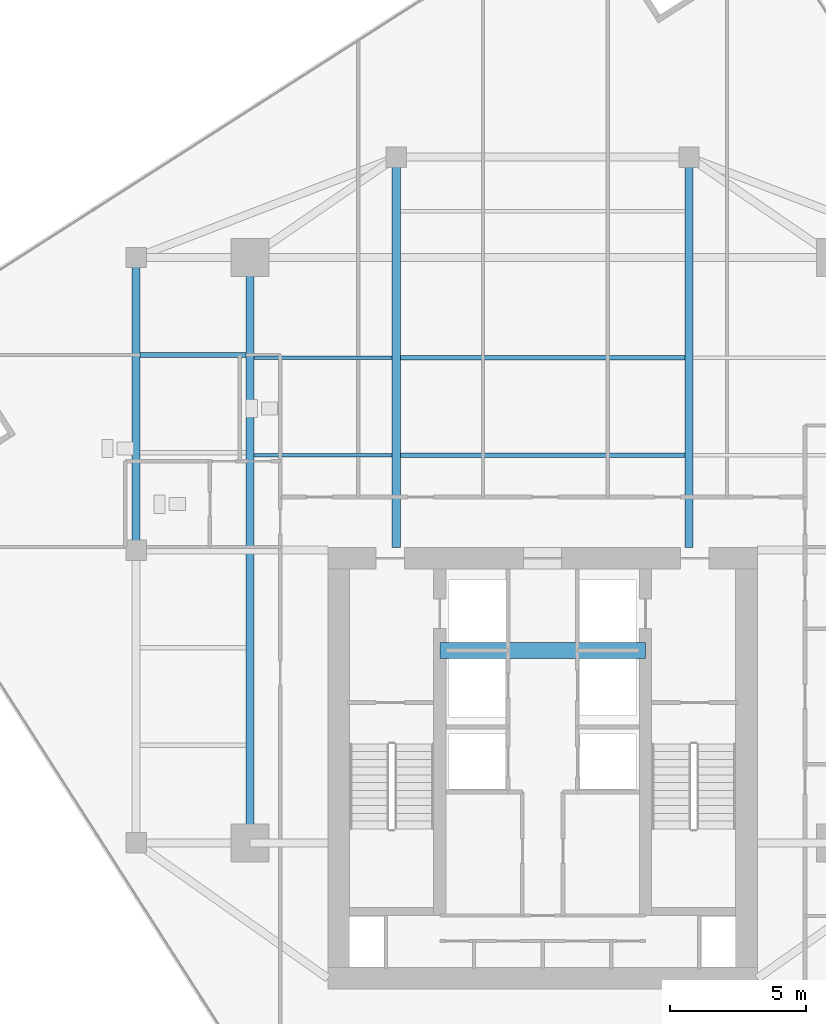
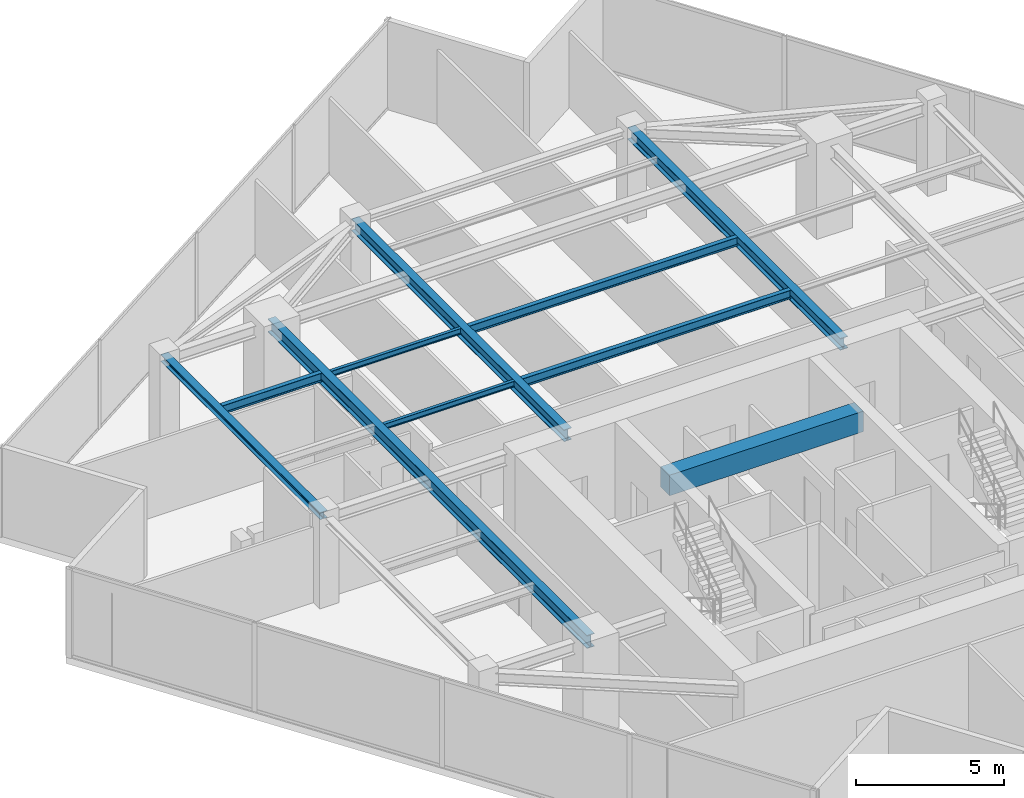
# One storey, part 7 of 20: 10 beams.
"""IFC4 building model written with IfcOpenShell, lengths in metres."""

from ifc_helpers import new_model, si_unit, direction, frame, origin, origin_2d, place, context, subcontext, project, spatial, rectangle, i_section, extrude, source, transform, mapped, material, material_profile, profile_set, type_object, type_shapes, element, save


model = new_model("IFC4")

# Units and contexts
model_context = context("Model", 3, precision=1e-05, world=origin(), true_north=direction((0.0, 1.0)))
body_context = subcontext(model_context, "Body", "Model", "MODEL_VIEW")
ifc_project = project(units=[si_unit("LENGTHUNIT", "METRE"), si_unit("AREAUNIT", "SQUARE_METRE"), si_unit("VOLUMEUNIT", "CUBIC_METRE"), si_unit("PLANEANGLEUNIT", "RADIAN"), si_unit("MASSUNIT", "GRAM", prefix="KILO")], contexts=[model_context])

# Site, building, storey
site_placement = place(None, origin())
site = spatial("IfcSite", under=ifc_project, at=site_placement, CompositionType="ELEMENT")
building_placement = place(site_placement, origin())
building = spatial("IfcBuilding", under=site, at=building_placement, Name="Krantzveldt Concourse Tower", CompositionType="ELEMENT")
storey_placement = place(building_placement, frame((0.0, 0.0, 287.14990234375)))
storey = spatial("IfcBuildingStorey", under=building, at=storey_placement, Name="L70", CompositionType="ELEMENT", Elevation=287.14990234375)

# Beams
ifc_material_1 = material(Name="Steel S355JR", Category="steel")
ifc_material_profile_1 = material_profile(ifc_material_1, i_section(OverallWidth=0.169921875, OverallDepth=0.360107421875, WebThickness=0.008056640625, FlangeThickness=0.0126953125, FilletRadius=0.01806640625, at=origin_2d()), Name="Steel S355JR", Category="steel")
ifc_profile_set_1 = profile_set([ifc_material_profile_1], Name="Steel S355JR - IPE 360")
beam_type_1 = type_object("IfcBeamType", Name="BM-J-IPE360", PredefinedType="JOIST", material=ifc_profile_set_1)
shared_shape_1 = source(origin(), body_context, "Body", "SweptSolid", [
    extrude(i_section(OverallWidth=0.169921875, OverallDepth=0.360107421875, WebThickness=0.008056640625, FlangeThickness=0.0126953125, FilletRadius=0.01806640625, at=origin_2d()), origin(), (0.0, 0.0, 1.0), 10.5),
])
for number, where, z_axis, x_axis, name in (
    (1, (30.75, 30.199951171875, 3.489990234375), (1.0, 0.0, 0.0), (0.0, 1.0, 0.0), "L70 Secondary Floor Joist JN-C1"),
    (2, (30.75, 33.800048828125, 3.489990234375), (1.0, 0.0, 0.0), (0.0, 1.0, 0.0), "L70 Secondary Floor Joist JN-C2"),
):
    element("IfcBeam", number, at=place(storey_placement, frame(where, z_axis=z_axis, x_axis=x_axis)), inside=storey, type_object=beam_type_1, Name=name, PredefinedType="JOIST", context=body_context, shape_type="MappedRepresentation", body=[
        mapped(shared_shape_1, transform((0.0, 0.0, 0.0), x_axis=(1.0, 0.0, 0.0), y_axis=(0.0, 1.0, 0.0), z_axis=(0.0, 0.0, 1.0), scale=1.0)),
    ])
ifc_material_profile_2 = material_profile(ifc_material_1, i_section(OverallWidth=0.300048828125, OverallDepth=0.489990234375, WebThickness=0.011962890625, FlangeThickness=0.02294921875, FilletRadius=0.027099609375, at=origin_2d()), Name="Steel S355JR", Category="steel")
ifc_profile_set_2 = profile_set([ifc_material_profile_2], Name="Steel S355JR - HEA 500")
beam_type_2 = type_object("IfcBeamType", Name="BM-B-HEA500", PredefinedType="BEAM", material=ifc_profile_set_2)
shared_shape_2 = source(origin(), body_context, "Body", "SweptSolid", [
    extrude(i_section(OverallWidth=0.300048828125, OverallDepth=0.489990234375, WebThickness=0.011962890625, FlangeThickness=0.02294921875, FilletRadius=0.027099609375, at=origin_2d()), origin(), (0.0, 0.0, 1.0), 14.39990234375),
])
type_shapes(beam_type_2, [shared_shape_2])
for number, where, z_axis, x_axis, name in (
    (3, (30.60009765625, 26.800048828125, 3.425048828125), (0.0, 1.0, 0.0), (-1.0, 0.0, 0.0), "L70 Tower Girder BG-CNW"),
    (4, (41.39990234375, 26.800048828125, 3.425048828125), (0.0, 1.0, 0.0), (-1.0, 0.0, 0.0), "L70 Tower Girder BG-CNE"),
):
    element("IfcBeam", number, at=place(storey_placement, frame(where, z_axis=z_axis, x_axis=x_axis)), inside=storey, type_object=beam_type_2, Name=name, PredefinedType="BEAM", context=body_context, shape_type="MappedRepresentation", body=[
        mapped(shared_shape_2, transform((0.0, 0.0, 0.0), x_axis=(1.0, 0.0, 0.0), y_axis=(0.0, 1.0, 0.0), z_axis=(0.0, 0.0, 1.0), scale=1.0)),
    ])
ifc_material_2 = material(Name="Concrete C50/60", Category="concrete")
ifc_material_profile_3 = material_profile(ifc_material_2, rectangle(XDim=0.60009765625, YDim=0.85009765625, at=origin_2d()), Name="Concrete C50/60", Category="concrete")
ifc_profile_set_3 = profile_set([ifc_material_profile_3], Name="Concrete C50/60 - RC-CB 600x850")
beam_type_3 = type_object("IfcBeamType", Name="BM-CB-850", PredefinedType="LINTEL", material=ifc_profile_set_3)
shared_shape_3 = source(origin(), body_context, "Body", "SweptSolid", [
    extrude(rectangle(XDim=0.60009765625, YDim=0.85009765625, at=origin_2d()), origin(), (0.0, 0.0, 1.0), 7.580078125),
])
type_shapes(beam_type_3, [shared_shape_3])
beam_1_placement = place(storey_placement, frame((32.2099609375, 23.0, 3.2451171875), z_axis=(1.0, 0.0, 0.0), x_axis=(0.0, 1.0, 0.0)))
element("IfcBeam", 5, at=beam_1_placement, inside=storey, type_object=beam_type_3, Name="CB-L70-01", PredefinedType="LINTEL", context=body_context, shape_type="MappedRepresentation", body=[
    mapped(shared_shape_3, transform((0.0, 0.0, 0.0), x_axis=(1.0, 0.0, 0.0), y_axis=(0.0, 1.0, 0.0), z_axis=(0.0, 0.0, 1.0), scale=1.0)),
])
ifc_material_profile_4 = material_profile(ifc_material_1, i_section(OverallWidth=0.300048828125, OverallDepth=0.5400390625, WebThickness=0.012451171875, FlangeThickness=0.02392578125, FilletRadius=0.027099609375, at=origin_2d()), Name="Steel S355JR", Category="steel")
ifc_profile_set_4 = profile_set([ifc_material_profile_4], Name="Steel S355JR - HEA 550")
beam_type_4 = type_object("IfcBeamType", Name="BM-B-HEA550", PredefinedType="BEAM", material=ifc_profile_set_4)
shared_shape_4 = source(origin(), body_context, "Body", "SweptSolid", [
    extrude(i_section(OverallWidth=0.300048828125, OverallDepth=0.5400390625, WebThickness=0.012451171875, FlangeThickness=0.02392578125, FilletRadius=0.027099609375, at=origin_2d()), origin(), (0.0, 0.0, 1.0), 21.60009765625),
])
type_shapes(beam_type_4, [shared_shape_4])
beam_2_placement = place(storey_placement, frame((25.199951171875, 15.89990234375, 3.400146484375), z_axis=(0.0, 1.0, 0.0), x_axis=(-1.0, 0.0, 0.0)))
element("IfcBeam", 6, at=beam_2_placement, inside=storey, type_object=beam_type_4, Name="L70 Tower Girder BG-MW", PredefinedType="BEAM", context=body_context, shape_type="MappedRepresentation", body=[
    mapped(shared_shape_4, transform((0.0, 0.0, 0.0), x_axis=(1.0, 0.0, 0.0), y_axis=(0.0, 1.0, 0.0), z_axis=(0.0, 0.0, 1.0), scale=1.0)),
])
ifc_material_profile_5 = material_profile(ifc_material_1, i_section(OverallWidth=0.2900390625, OverallDepth=0.2900390625, WebThickness=0.008544921875, FlangeThickness=0.013916015625, FilletRadius=0.027099609375, at=origin_2d()), Name="Steel S355JR", Category="steel")
ifc_profile_set_5 = profile_set([ifc_material_profile_5], Name="Steel S355JR - HEA 300")
beam_type_5 = type_object("IfcBeamType", Name="BM-SP-HEA300", PredefinedType="SPANDREL", material=ifc_profile_set_5)
shared_shape_5 = source(origin(), body_context, "Body", "SweptSolid", [
    extrude(i_section(OverallWidth=0.2900390625, OverallDepth=0.2900390625, WebThickness=0.008544921875, FlangeThickness=0.013916015625, FilletRadius=0.027099609375, at=origin_2d()), origin(), (0.0, 0.0, 1.0), 10.800048828125),
])
type_shapes(beam_type_5, [shared_shape_5])
beam_3_placement = place(storey_placement, frame((21.0, 26.699951171875, 3.525146484375), z_axis=(0.0, 1.0, 0.0), x_axis=(-1.0, 0.0, 0.0)))
element("IfcBeam", 7, at=beam_3_placement, inside=storey, type_object=beam_type_5, Name="L70 Tower Girder SP-R02", PredefinedType="SPANDREL", context=body_context, shape_type="MappedRepresentation", body=[
    mapped(shared_shape_5, transform((0.0, 0.0, 0.0), x_axis=(1.0, 0.0, 0.0), y_axis=(0.0, 1.0, 0.0), z_axis=(0.0, 0.0, 1.0), scale=1.0)),
])
ifc_material_profile_6 = material_profile(ifc_material_1, i_section(OverallWidth=0.1201171875, OverallDepth=0.239990234375, WebThickness=0.006103515625, FlangeThickness=0.009765625, FilletRadius=0.014892578125, at=origin_2d()), Name="Steel S355JR", Category="steel")
ifc_profile_set_6 = profile_set([ifc_material_profile_6], Name="Steel S355JR - IPE 240")
beam_type_6 = type_object("IfcBeamType", Name="BM-LN-IPE240", PredefinedType="LINTEL", material=ifc_profile_set_6)
shared_shape_6 = source(origin(), body_context, "Body", "SweptSolid", [
    extrude(i_section(OverallWidth=0.1201171875, OverallDepth=0.239990234375, WebThickness=0.006103515625, FlangeThickness=0.009765625, FilletRadius=0.014892578125, at=origin_2d()), origin(), (0.0, 0.0, 1.0), 5.099853515625),
])
type_shapes(beam_type_6, [shared_shape_6])
for number, where, z_axis, x_axis, name in (
    (8, (25.35009765625, 30.199951171875, 3.550048828125), (1.0, 0.0, 0.0), (0.0, 1.0, 0.0), "L70 Secondary Floor Joist JN-W1"),
    (9, (25.35009765625, 33.800048828125, 3.550048828125), (1.0, 0.0, 0.0), (0.0, 1.0, 0.0), "L70 Secondary Floor Joist JN-W2"),
):
    element("IfcBeam", number, at=place(storey_placement, frame(where, z_axis=z_axis, x_axis=x_axis)), inside=storey, type_object=beam_type_6, Name=name, PredefinedType="LINTEL", context=body_context, shape_type="MappedRepresentation", body=[
        mapped(shared_shape_6, transform((0.0, 0.0, 0.0), x_axis=(1.0, 0.0, 0.0), y_axis=(0.0, 1.0, 0.0), z_axis=(0.0, 0.0, 1.0), scale=1.0)),
    ])
shared_shape_7 = source(origin(), body_context, "Body", "SweptSolid", [
    extrude(i_section(OverallWidth=0.169921875, OverallDepth=0.360107421875, WebThickness=0.008056640625, FlangeThickness=0.0126953125, FilletRadius=0.01806640625, at=origin_2d()), origin(), (0.0, 0.0, 1.0), 3.900146484375),
])
type_shapes(beam_type_1, [shared_shape_1, shared_shape_7])
beam_4_placement = place(storey_placement, frame((21.14990234375, 33.89990234375, 3.489990234375), z_axis=(1.0, 0.0, 0.0), x_axis=(0.0, 1.0, 0.0)))
element("IfcBeam", 10, at=beam_4_placement, inside=storey, type_object=beam_type_1, Name="L70 Secondary Floor Joist JW-4", PredefinedType="JOIST", context=body_context, shape_type="MappedRepresentation", body=[
    mapped(shared_shape_7, transform((0.0, 0.0, 0.0), x_axis=(1.0, 0.0, 0.0), y_axis=(0.0, 1.0, 0.0), z_axis=(0.0, 0.0, 1.0), scale=1.0)),
])

save(model, "model.ifc")
